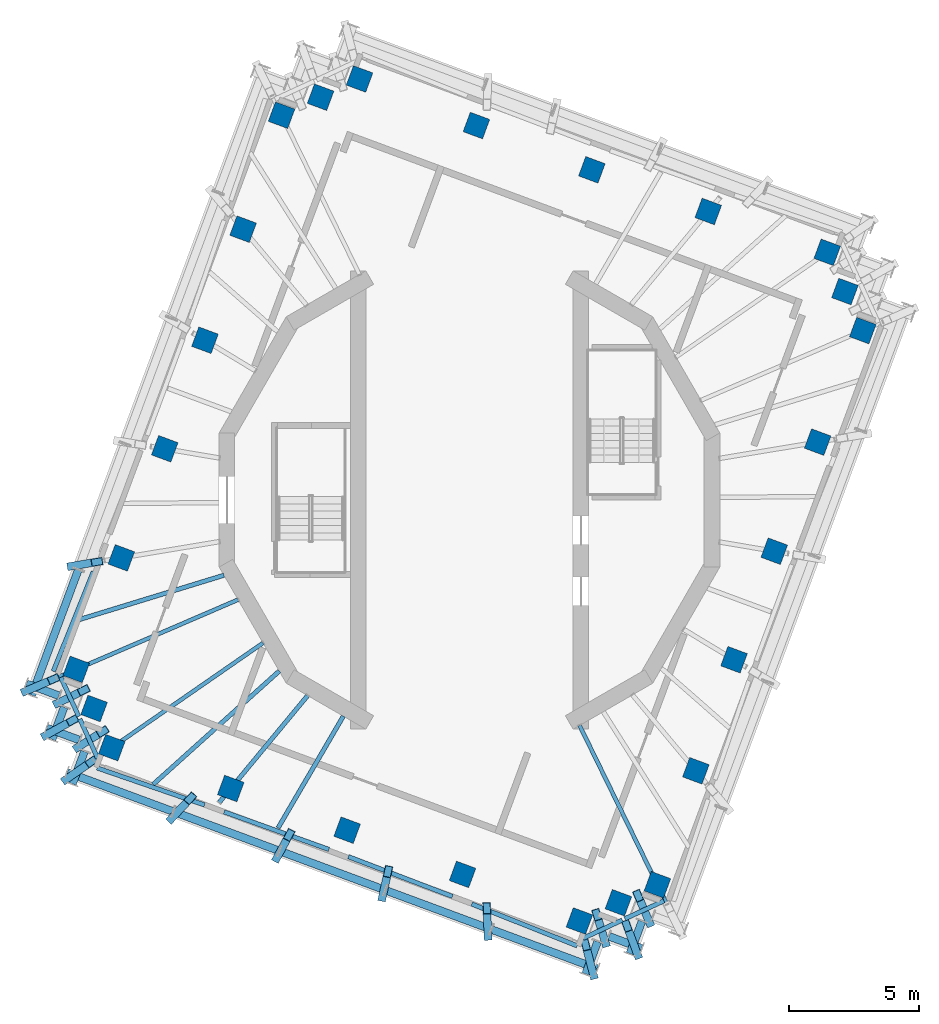
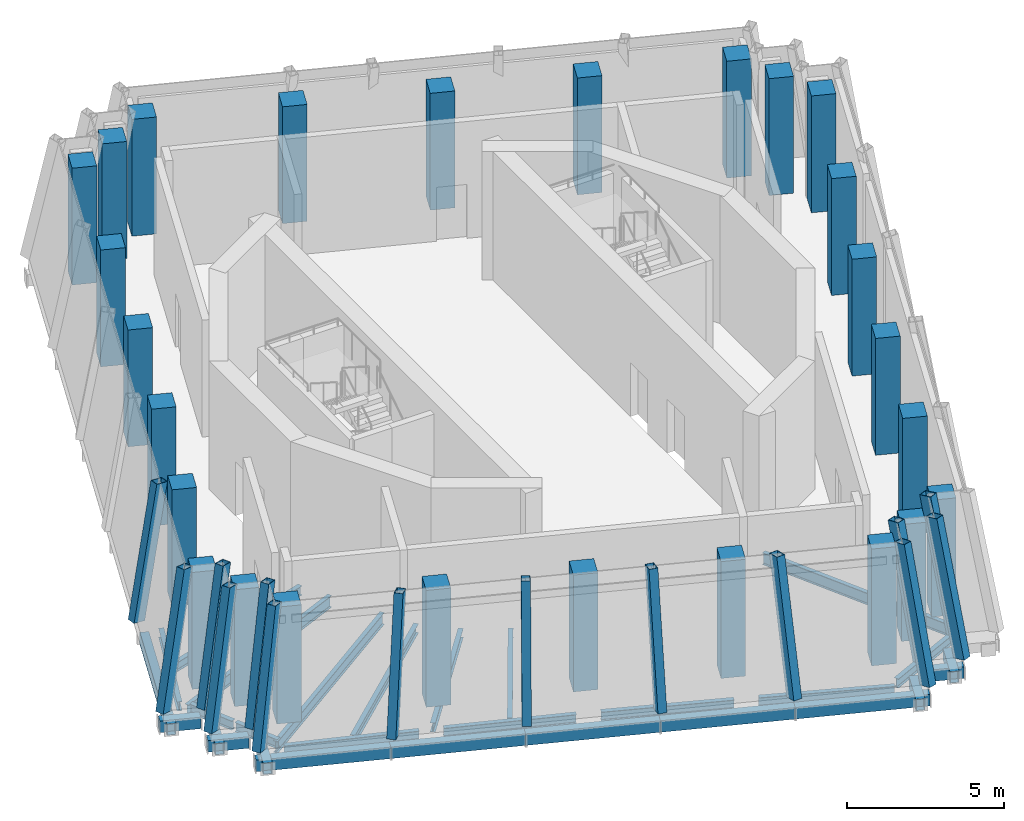
# One storey, part 1 of 13: 27 members, 26 columns, 16 beams, 14 elements without a shape of their own.
"""IFC4 building model written with IfcOpenShell, lengths in metres."""

from ifc_helpers import new_model, si_unit, direction, frame, origin, origin_2d, place, context, subcontext, project, spatial, rectangle, hollow_rectangle, i_section, extrude, material, material_profile, profile_set, type_object, element, aggregate, save


model = new_model("IFC4")

# Units and contexts
model_context = context("Model", 3, precision=1e-05, world=origin(), true_north=direction((0.0, 1.0)))
body_context = subcontext(model_context, "Body", "Model", "MODEL_VIEW")
ifc_project = project(units=[si_unit("LENGTHUNIT", "METRE"), si_unit("AREAUNIT", "SQUARE_METRE"), si_unit("VOLUMEUNIT", "CUBIC_METRE"), si_unit("PLANEANGLEUNIT", "RADIAN"), si_unit("MASSUNIT", "GRAM", prefix="KILO")], contexts=[model_context])

# Site, building, storey
site_placement = place(None, origin())
site = spatial("IfcSite", under=ifc_project, at=site_placement, CompositionType="ELEMENT")
building_placement = place(site_placement, origin())
building = spatial("IfcBuilding", under=site, at=building_placement, Name="Cantera Rosa Tower", CompositionType="ELEMENT")
storey_placement = place(building_placement, frame((0.0, 0.0, 355.699951171875)))
storey = spatial("IfcBuildingStorey", under=building, at=storey_placement, Name="L80", CompositionType="ELEMENT", Elevation=355.699951171875)

# Columns
ifc_material_1 = material(Name="Concrete C50/60", Category="concrete")
ifc_material_profile_1 = material_profile(ifc_material_1, rectangle(XDim=0.800048828125, YDim=0.800048828125, at=origin_2d()), Name="RC COLUMN RC800X800 C50/60")
ifc_profile_set_1 = profile_set([ifc_material_profile_1], Name="Concrete C50/60")
column_type = type_object("IfcColumnType", Name="RC COLUMN RC800X800 C50/60", PredefinedType="COLUMN", material=ifc_profile_set_1)
for number, where, z_axis, x_axis, name in (
    (1, (13.805419921875, 9.55908203125, 0.0), (0.0, 0.0, 1.0), (0.347481234489, 0.937686936924, 0.0), "C-Z6-01 L80"),
    (2, (9.213623046875, 11.134521484375, 0.0), (0.0, 0.0, 1.0), (0.347481234489, 0.937686936924, 0.0), "C-Z6-02 L80"),
    (3, (4.721923828125, 12.7421875, 0.0), (0.0, 0.0, 1.0), (0.347481234489, 0.937686936924, 0.0), "C-Z6-03 L80"),
    (4, (0.267333984375, 14.44970703125, 0.0), (0.0, 0.0, 1.0), (0.347481234489, 0.937686936924, 0.0), "C-Z6-04 L80"),
    (5, (-4.242431640625, 16.2470703125, 0.0), (0.0, 0.0, 1.0), (0.347481234489, 0.937686936924, 0.0), "C-Z6-05 L80"),
    (6, (-5.74658203125, 15.543212890625, 0.0), (0.0, 0.0, 1.0), (0.347481234489, 0.937686936924, 0.0), "C-Z6-06 L80"),
    (7, (-7.252685546875, 14.848876953125, 0.0), (0.0, 0.0, 1.0), (0.347481234489, 0.937686936924, 0.0), "C-Z6-07 L80"),
    (8, (-8.736328125, 10.45068359375, 0.0), (0.0, 0.0, 1.0), (0.347481234489, 0.937686936924, 0.0), "C-Z6-08 L80"),
    (9, (-10.20849609375, 6.165283203125, 0.0), (0.0, 0.0, 1.0), (0.347481234489, 0.937686936924, 0.0), "C-Z6-09 L80"),
    (10, (-11.760986328125, 1.97607421875, 0.0), (0.0, 0.0, 1.0), (0.347481234489, 0.937686936924, 0.0), "C-Z6-10 L80"),
    (11, (-13.43701171875, -2.23388671875, 0.0), (0.0, 0.0, 1.0), (0.347481234489, 0.937686936924, 0.0), "C-Z6-11 L80"),
    (12, (-15.177734375, -6.536865234375, 0.0), (0.0, 0.0, 1.0), (0.347481234489, 0.937686936924, 0.0), "C-Z6-12 L80"),
    (13, (-14.48779296875, -8.044921875, 0.0), (0.0, 0.0, 1.0), (0.347481234489, 0.937686936924, 0.0), "C-Z6-13 L80"),
    (14, (-13.805419921875, -9.55908203125, 0.0), (0.0, 0.0, 1.0), (0.347481234489, 0.937686936924, 0.0), "C-Z6-14 L80"),
    (15, (-9.213623046875, -11.134521484375, 0.0), (0.0, 0.0, 1.0), (0.347481234489, 0.937686936924, 0.0), "C-Z6-15 L80"),
    (16, (-4.721923828125, -12.7421875, 0.0), (0.0, 0.0, 1.0), (0.347481234489, 0.937686936924, 0.0), "C-Z6-16 L80"),
    (17, (-0.267333984375, -14.44970703125, 0.0), (0.0, 0.0, 1.0), (0.347481234489, 0.937686936924, 0.0), "C-Z6-17 L80"),
    (18, (4.242431640625, -16.2470703125, 0.0), (0.0, 0.0, 1.0), (0.347481234489, 0.937686936924, 0.0), "C-Z6-18 L80"),
    (19, (5.74658203125, -15.543212890625, 0.0), (0.0, 0.0, 1.0), (0.347481234489, 0.937686936924, 0.0), "C-Z6-19 L80"),
    (20, (7.252685546875, -14.848876953125, 0.0), (0.0, 0.0, 1.0), (0.347481234489, 0.937686936924, 0.0), "C-Z6-20 L80"),
    (21, (8.736328125, -10.45068359375, 0.0), (0.0, 0.0, 1.0), (0.347481234489, 0.937686936924, 0.0), "C-Z6-21 L80"),
    (22, (10.20849609375, -6.165283203125, 0.0), (0.0, 0.0, 1.0), (0.347481234489, 0.937686936924, 0.0), "C-Z6-22 L80"),
    (23, (11.760986328125, -1.97607421875, 0.0), (0.0, 0.0, 1.0), (0.347481234489, 0.937686936924, 0.0), "C-Z6-23 L80"),
    (24, (13.43701171875, 2.23388671875, 0.0), (0.0, 0.0, 1.0), (0.347481234489, 0.937686936924, 0.0), "C-Z6-24 L80"),
    (25, (15.177734375, 6.536865234375, 0.0), (0.0, 0.0, 1.0), (0.347481234489, 0.937686936924, 0.0), "C-Z6-25 L80"),
    (26, (14.48779296875, 8.044921875, 0.0), (0.0, 0.0, 1.0), (0.347481234489, 0.937686936924, 0.0), "C-Z6-26 L80"),
):
    element("IfcColumn", number, at=place(storey_placement, frame(where, z_axis=z_axis, x_axis=x_axis)), inside=storey, type_object=column_type, Name=name, PredefinedType="COLUMN", context=body_context, shape_type="SweptSolid", body=[
        extrude(rectangle(XDim=0.800048828125, YDim=0.800048828125, at=origin_2d()), origin(), (0.0, 0.0, 1.0), 4.550048828125),
    ])

# Curtain wall, member
ifc_material_2 = material(Name="Aluminium frame with clear glass", Category="aluminium")
curtain_wall_type = type_object("IfcCurtainWallType", Name="CW4 CROWN GLAZING", PredefinedType="NOTDEFINED", material=ifc_material_2)
curtain_wall_1_placement = place(storey_placement, origin())
curtain_wall_1 = element("IfcCurtainWall", 27, at=curtain_wall_1_placement, inside=storey, type_object=curtain_wall_type, Name="CW4 L80-14", PredefinedType="NOTDEFINED")
ifc_material_3 = material(Name="Steel S355J2 (EN 10025-2)", Category="steel")
ifc_material_profile_2 = material_profile(ifc_material_3, hollow_rectangle(XDim=0.300048828125, YDim=0.449951171875, WallThickness=0.01611328125, at=origin_2d()), Name="CROWN FRAME MULLION RHS 300x450x16")
ifc_profile_set_2 = profile_set([ifc_material_profile_2], Name="Steel S355J2 (EN 10025-2)")
member_type_1 = type_object("IfcMemberType", Name="CROWN FRAME MULLION RHS 300x450x16", PredefinedType="MULLION", material=ifc_profile_set_2)
member_1_placement = place(storey_placement, frame((-15.30126953125, -2.543701171875, 0.0), z_axis=(0.182256641938, 0.030280131928, 0.982784630568), x_axis=(-0.163893533146, 0.986478033102, 0.0)))
member_1 = element("IfcMember", 28, at=member_1_placement, type_object=member_type_1, Name="CROWN FRAME rib L80-14", PredefinedType="MULLION", context=body_context, shape_type="SweptSolid", body=[
    extrude(hollow_rectangle(XDim=0.300048828125, YDim=0.449951171875, WallThickness=0.01611328125, at=origin_2d()), origin(), (0.0, 0.0, 1.0), 5.087646484375),
])

curtain_wall_2_placement = place(storey_placement, origin())
curtain_wall_2 = element("IfcCurtainWall", 29, at=curtain_wall_2_placement, inside=storey, type_object=curtain_wall_type, Name="CW4 L80-15", PredefinedType="NOTDEFINED")
member_2_placement = place(storey_placement, frame((-17.085693359375, -7.358642578125, 0.0), z_axis=(0.202054325325, 0.087023397541, 0.97550037309), x_axis=(-0.395564894029, 0.918438029816, 0.0)))
member_2 = element("IfcMember", 30, at=member_2_placement, type_object=member_type_1, Name="CROWN FRAME rib L80-15", PredefinedType="MULLION", context=body_context, shape_type="SweptSolid", body=[
    extrude(hollow_rectangle(XDim=0.300048828125, YDim=0.449951171875, WallThickness=0.01611328125, at=origin_2d()), origin(), (0.0, 0.0, 1.0), 5.12548828125),
])

curtain_wall_3_placement = place(storey_placement, origin())
curtain_wall_3 = element("IfcCurtainWall", 31, at=curtain_wall_3_placement, inside=storey, type_object=curtain_wall_type, Name="CW4 L80-16", PredefinedType="NOTDEFINED")
member_3_placement = place(storey_placement, frame((-15.847900390625, -7.8173828125, 0.0), z_axis=(0.18782927877, 0.092673266419, 0.97781993625), x_axis=(-0.442465792491, 0.896785382617, 0.0)))
member_3 = element("IfcMember", 32, at=member_3_placement, type_object=member_type_1, Name="CROWN FRAME rib L80-16", PredefinedType="MULLION", context=body_context, shape_type="SweptSolid", body=[
    extrude(hollow_rectangle(XDim=0.300048828125, YDim=0.449951171875, WallThickness=0.01611328125, at=origin_2d()), origin(), (0.0, 0.0, 1.0), 5.113525390625),
])

curtain_wall_4_placement = place(storey_placement, origin())
curtain_wall_4 = element("IfcCurtainWall", 33, at=curtain_wall_4_placement, inside=storey, type_object=curtain_wall_type, Name="CW4 L80-17", PredefinedType="NOTDEFINED")
member_4_placement = place(storey_placement, frame((-16.306640625, -9.054931640625, 0.0), z_axis=(0.192791260013, 0.107016294775, 0.975386611921), x_axis=(-0.485331140108, 0.874330420631, 0.0)))
member_4 = element("IfcMember", 34, at=member_4_placement, type_object=member_type_1, Name="CROWN FRAME rib L80-17", PredefinedType="MULLION", context=body_context, shape_type="SweptSolid", body=[
    extrude(hollow_rectangle(XDim=0.300048828125, YDim=0.449951171875, WallThickness=0.01611328125, at=origin_2d()), origin(), (0.0, 0.0, 1.0), 5.126220703125),
])

curtain_wall_5_placement = place(storey_placement, origin())
curtain_wall_5 = element("IfcCurtainWall", 35, at=curtain_wall_5_placement, inside=storey, type_object=curtain_wall_type, Name="CW4 L80-18", PredefinedType="NOTDEFINED")
member_5_placement = place(storey_placement, frame((-15.06884765625, -9.513671875, 0.0), z_axis=(0.178547268213, 0.11273152834, 0.977452032343), x_axis=(-0.533873930699, 0.84556408753, 0.0)))
member_5 = element("IfcMember", 36, at=member_5_placement, type_object=member_type_1, Name="CROWN FRAME rib L80-18", PredefinedType="MULLION", context=body_context, shape_type="SweptSolid", body=[
    extrude(hollow_rectangle(XDim=0.300048828125, YDim=0.449951171875, WallThickness=0.01611328125, at=origin_2d()), origin(), (0.0, 0.0, 1.0), 5.115234375),
])

curtain_wall_6_placement = place(storey_placement, origin())
curtain_wall_6 = element("IfcCurtainWall", 37, at=curtain_wall_6_placement, inside=storey, type_object=curtain_wall_type, Name="CW4 L80-19", PredefinedType="NOTDEFINED")
member_6_placement = place(storey_placement, frame((-15.527587890625, -10.75146484375, 0.0), z_axis=(0.183485118083, 0.127035481236, 0.974779563773), x_axis=(-0.569232159269, 0.822176835513, 0.0)))
member_6 = element("IfcMember", 38, at=member_6_placement, type_object=member_type_1, Name="CROWN FRAME rib L80-19", PredefinedType="MULLION", context=body_context, shape_type="SweptSolid", body=[
    extrude(hollow_rectangle(XDim=0.300048828125, YDim=0.449951171875, WallThickness=0.01611328125, at=origin_2d()), origin(), (0.0, 0.0, 1.0), 5.12939453125),
])

curtain_wall_7_placement = place(storey_placement, origin())
curtain_wall_7 = element("IfcCurtainWall", 39, at=curtain_wall_7_placement, inside=storey, type_object=curtain_wall_type, Name="CW4 L80-20", PredefinedType="NOTDEFINED")
member_7_placement = place(storey_placement, frame((-11.4677734375, -12.255859375, 0.0), z_axis=(0.136223280906, 0.145553642612, 0.979927219165), x_axis=(-0.730120754726, 0.683318142243, 0.0)))
member_7 = element("IfcMember", 40, at=member_7_placement, type_object=member_type_1, Name="CROWN FRAME rib L80-20", PredefinedType="MULLION", context=body_context, shape_type="SweptSolid", body=[
    extrude(hollow_rectangle(XDim=0.300048828125, YDim=0.449951171875, WallThickness=0.01611328125, at=origin_2d()), origin(), (0.0, 0.0, 1.0), 5.1025390625),
])

curtain_wall_8_placement = place(storey_placement, origin())
curtain_wall_8 = element("IfcCurtainWall", 41, at=curtain_wall_8_placement, inside=storey, type_object=curtain_wall_type, Name="CW4 L80-21", PredefinedType="NOTDEFINED")
member_8_placement = place(storey_placement, frame((-7.407958984375, -13.76025390625, 0.0), z_axis=(0.088226603476, 0.163835699223, 0.982534442195), x_axis=(-0.880454542152, 0.474130571894, 0.0)))
member_8 = element("IfcMember", 42, at=member_8_placement, type_object=member_type_1, Name="CROWN FRAME rib L80-21", PredefinedType="MULLION", context=body_context, shape_type="SweptSolid", body=[
    extrude(hollow_rectangle(XDim=0.300048828125, YDim=0.449951171875, WallThickness=0.01611328125, at=origin_2d()), origin(), (0.0, 0.0, 1.0), 5.0888671875),
])

curtain_wall_9_placement = place(storey_placement, origin())
curtain_wall_9 = element("IfcCurtainWall", 43, at=curtain_wall_9_placement, inside=storey, type_object=curtain_wall_type, Name="CW4 L80-22", PredefinedType="NOTDEFINED")
member_9_placement = place(storey_placement, frame((-3.34814453125, -15.264892578125, 0.0), z_axis=(0.039867003979, 0.181824241974, 0.982522552934), x_axis=(-0.976795656334, 0.214173401165, 0.0)))
member_9 = element("IfcMember", 44, at=member_9_placement, type_object=member_type_1, Name="CROWN FRAME rib L80-22", PredefinedType="MULLION", context=body_context, shape_type="SweptSolid", body=[
    extrude(hollow_rectangle(XDim=0.300048828125, YDim=0.449951171875, WallThickness=0.01611328125, at=origin_2d()), origin(), (0.0, 0.0, 1.0), 5.0888671875),
])

curtain_wall_10_placement = place(storey_placement, origin())
curtain_wall_10 = element("IfcCurtainWall", 45, at=curtain_wall_10_placement, inside=storey, type_object=curtain_wall_type, Name="CW4 L80-23", PredefinedType="NOTDEFINED")
member_10_placement = place(storey_placement, frame((0.711669921875, -16.769287109375, 0.0), z_axis=(-0.008421226674, 0.199190719564, 0.979924558413), x_axis=(-0.99910751523, -0.042239472179, 0.0)))
member_10 = element("IfcMember", 46, at=member_10_placement, type_object=member_type_1, Name="CROWN FRAME rib L80-23", PredefinedType="MULLION", context=body_context, shape_type="SweptSolid", body=[
    extrude(hollow_rectangle(XDim=0.300048828125, YDim=0.449951171875, WallThickness=0.01611328125, at=origin_2d()), origin(), (0.0, 0.0, 1.0), 5.1025390625),
])

curtain_wall_11_placement = place(storey_placement, origin())
curtain_wall_11 = element("IfcCurtainWall", 47, at=curtain_wall_11_placement, inside=storey, type_object=curtain_wall_type, Name="CW4 L80-24", PredefinedType="NOTDEFINED")
member_11_placement = place(storey_placement, frame((4.771484375, -18.273681640625, 0.0), z_axis=(-0.056354918078, 0.215900260473, 0.974787772152), x_axis=(-0.967581018342, -0.252560830185, 0.0)))
member_11 = element("IfcMember", 48, at=member_11_placement, type_object=member_type_1, Name="CROWN FRAME rib L80-24", PredefinedType="MULLION", context=body_context, shape_type="SweptSolid", body=[
    extrude(hollow_rectangle(XDim=0.300048828125, YDim=0.449951171875, WallThickness=0.01611328125, at=origin_2d()), origin(), (0.0, 0.0, 1.0), 5.12939453125),
])

curtain_wall_12_placement = place(storey_placement, origin())
curtain_wall_12 = element("IfcCurtainWall", 49, at=curtain_wall_12_placement, inside=storey, type_object=curtain_wall_type, Name="CW4 L80-25", PredefinedType="NOTDEFINED")
member_12_placement = place(storey_placement, frame((5.230224609375, -17.035888671875, 0.0), z_axis=(-0.061950185044, 0.201839239252, 0.977457465096), x_axis=(-0.955984057703, -0.293418611232, 0.0)))
member_12 = element("IfcMember", 50, at=member_12_placement, type_object=member_type_1, Name="CROWN FRAME rib L80-25", PredefinedType="MULLION", context=body_context, shape_type="SweptSolid", body=[
    extrude(hollow_rectangle(XDim=0.300048828125, YDim=0.449951171875, WallThickness=0.01611328125, at=origin_2d()), origin(), (0.0, 0.0, 1.0), 5.115234375),
])

curtain_wall_13_placement = place(storey_placement, origin())
curtain_wall_13 = element("IfcCurtainWall", 51, at=curtain_wall_13_placement, inside=storey, type_object=curtain_wall_type, Name="CW4 L80-26", PredefinedType="NOTDEFINED")
member_13_placement = place(storey_placement, frame((6.468017578125, -17.49462890625, 0.0), z_axis=(-0.076487353501, 0.206839711243, 0.975380448137), x_axis=(-0.937925785431, -0.346836014599, 0.0)))
member_13 = element("IfcMember", 52, at=member_13_placement, type_object=member_type_1, Name="CROWN FRAME rib L80-26", PredefinedType="MULLION", context=body_context, shape_type="SweptSolid", body=[
    extrude(hollow_rectangle(XDim=0.300048828125, YDim=0.449951171875, WallThickness=0.01611328125, at=origin_2d()), origin(), (0.0, 0.0, 1.0), 5.126220703125),
])

curtain_wall_14_placement = place(storey_placement, origin())
curtain_wall_14 = element("IfcCurtainWall", 53, at=curtain_wall_14_placement, inside=storey, type_object=curtain_wall_type, Name="CW4 L80-27", PredefinedType="NOTDEFINED")
member_14_placement = place(storey_placement, frame((6.9267578125, -16.2568359375, 0.0), z_axis=(-0.082121990463, 0.192652460185, 0.97782463063), x_axis=(-0.919909783206, -0.392130068678, 0.0)))
member_14 = element("IfcMember", 54, at=member_14_placement, type_object=member_type_1, Name="CROWN FRAME rib L80-27", PredefinedType="MULLION", context=body_context, shape_type="SweptSolid", body=[
    extrude(hollow_rectangle(XDim=0.300048828125, YDim=0.449951171875, WallThickness=0.01611328125, at=origin_2d()), origin(), (0.0, 0.0, 1.0), 5.11328125),
])
aggregate(curtain_wall_14, [member_14])

# Member
ifc_material_4 = material(Name="Steel S355J2 (EN 10025-2)", Category="steel")
ifc_material_profile_3 = material_profile(ifc_material_4, hollow_rectangle(XDim=0.300048828125, YDim=0.449951171875, WallThickness=0.01611328125, at=origin_2d()), Name="CROWN FRAME PURLIN RHS 300x450x16")
ifc_profile_set_3 = profile_set([ifc_material_profile_3], Name="Steel S355J2 (EN 10025-2)")
member_type_2 = type_object("IfcMemberType", Name="CROWN FRAME PURLIN RHS 300x450x16", PredefinedType="PURLIN", material=ifc_profile_set_3)
member_15_placement = place(storey_placement, frame((-15.09228515625, -2.682861328125, -0.675048828125), z_axis=(-0.347484963589, -0.937685555013, 0.0), x_axis=(0.937685555013, -0.347484963589, 0.0)))
member_15 = element("IfcMember", 55, at=member_15_placement, type_object=member_type_2, Name="CROWN FRAME purlin L80-14", PredefinedType="PURLIN", context=body_context, shape_type="SweptSolid", body=[
    extrude(hollow_rectangle(XDim=0.300048828125, YDim=0.449951171875, WallThickness=0.01611328125, at=origin_2d()), origin(), (0.0, 0.0, 1.0), 5.173095703125),
])

aggregate(curtain_wall_1, [member_1, member_15])

member_16_placement = place(storey_placement, frame((-17.093994140625, -7.089599609375, -0.675048828125), z_axis=(0.937680097081, -0.34749969142, 0.0), x_axis=(0.34749969142, 0.937680097081, 0.0)))
member_16 = element("IfcMember", 56, at=member_16_placement, type_object=member_type_2, Name="CROWN FRAME purlin L80-15", PredefinedType="PURLIN", context=body_context, shape_type="SweptSolid", body=[
    extrude(hollow_rectangle(XDim=0.300048828125, YDim=0.449951171875, WallThickness=0.01611328125, at=origin_2d()), origin(), (0.0, 0.0, 1.0), 1.329833984375),
])

aggregate(curtain_wall_2, [member_2, member_16])

member_17_placement = place(storey_placement, frame((-15.64306640625, -7.996826171875, -0.675048828125), z_axis=(-0.34749969142, -0.937680097081, 0.0), x_axis=(0.937680097081, -0.34749969142, 0.0)))
member_17 = element("IfcMember", 57, at=member_17_placement, type_object=member_type_2, Name="CROWN FRAME purlin L80-16", PredefinedType="PURLIN", context=body_context, shape_type="SweptSolid", body=[
    extrude(hollow_rectangle(XDim=0.300048828125, YDim=0.449951171875, WallThickness=0.01611328125, at=origin_2d()), origin(), (0.0, 0.0, 1.0), 1.329833984375),
])

aggregate(curtain_wall_3, [member_3, member_17])

member_18_placement = place(storey_placement, frame((-16.308349609375, -8.799072265625, -0.675048828125), z_axis=(0.937657924064, -0.3475595164, 0.0), x_axis=(0.3475595164, 0.937657924064, 0.0)))
member_18 = element("IfcMember", 58, at=member_18_placement, type_object=member_type_2, Name="CROWN FRAME purlin L80-17", PredefinedType="PURLIN", context=body_context, shape_type="SweptSolid", body=[
    extrude(hollow_rectangle(XDim=0.300048828125, YDim=0.449951171875, WallThickness=0.01611328125, at=origin_2d()), origin(), (0.0, 0.0, 1.0), 1.329833984375),
])

aggregate(curtain_wall_4, [member_4, member_18])

member_19_placement = place(storey_placement, frame((-14.8583984375, -9.706787109375, -0.675048828125), z_axis=(-0.347439885619, -0.937702258652, 0.0), x_axis=(0.937702258652, -0.347439885619, 0.0)))
member_19 = element("IfcMember", 59, at=member_19_placement, type_object=member_type_2, Name="CROWN FRAME purlin L80-18", PredefinedType="PURLIN", context=body_context, shape_type="SweptSolid", body=[
    extrude(hollow_rectangle(XDim=0.300048828125, YDim=0.449951171875, WallThickness=0.01611328125, at=origin_2d()), origin(), (0.0, 0.0, 1.0), 1.330078125),
])

aggregate(curtain_wall_5, [member_5, member_19])

member_20_placement = place(storey_placement, frame((-15.52294921875, -10.508544921875, -0.675048828125), z_axis=(0.937702162276, -0.347440145729, 0.0), x_axis=(0.347440145729, 0.937702162276, 0.0)))
member_20 = element("IfcMember", 60, at=member_20_placement, type_object=member_type_2, Name="CROWN FRAME purlin L80-19", PredefinedType="PURLIN", context=body_context, shape_type="SweptSolid", body=[
    extrude(hollow_rectangle(XDim=0.300048828125, YDim=0.449951171875, WallThickness=0.01611328125, at=origin_2d()), origin(), (0.0, 0.0, 1.0), 4.361572265625),
])

aggregate(curtain_wall_6, [member_6, member_20])

member_21_placement = place(storey_placement, frame((-11.43310546875, -12.02392578125, -0.675048828125), z_axis=(0.937683924768, -0.34748936276, 0.0), x_axis=(0.34748936276, 0.937683924768, 0.0)))
member_21 = element("IfcMember", 61, at=member_21_placement, type_object=member_type_2, Name="CROWN FRAME purlin L80-20", PredefinedType="PURLIN", context=body_context, shape_type="SweptSolid", body=[
    extrude(hollow_rectangle(XDim=0.300048828125, YDim=0.449951171875, WallThickness=0.01611328125, at=origin_2d()), origin(), (0.0, 0.0, 1.0), 4.361572265625),
])

aggregate(curtain_wall_7, [member_7, member_21])

member_22_placement = place(storey_placement, frame((-7.34326171875, -13.53955078125, -0.675048828125), z_axis=(0.937683924768, -0.34748936276, 0.0), x_axis=(0.34748936276, 0.937683924768, 0.0)))
member_22 = element("IfcMember", 62, at=member_22_placement, type_object=member_type_2, Name="CROWN FRAME purlin L80-21", PredefinedType="PURLIN", context=body_context, shape_type="SweptSolid", body=[
    extrude(hollow_rectangle(XDim=0.300048828125, YDim=0.449951171875, WallThickness=0.01611328125, at=origin_2d()), origin(), (0.0, 0.0, 1.0), 4.361572265625),
])

aggregate(curtain_wall_8, [member_8, member_22])

member_23_placement = place(storey_placement, frame((-3.25341796875, -15.05517578125, -0.675048828125), z_axis=(0.937683924768, -0.34748936276, 0.0), x_axis=(0.34748936276, 0.937683924768, 0.0)))
member_23 = element("IfcMember", 63, at=member_23_placement, type_object=member_type_2, Name="CROWN FRAME purlin L80-22", PredefinedType="PURLIN", context=body_context, shape_type="SweptSolid", body=[
    extrude(hollow_rectangle(XDim=0.300048828125, YDim=0.449951171875, WallThickness=0.01611328125, at=origin_2d()), origin(), (0.0, 0.0, 1.0), 4.361572265625),
])

aggregate(curtain_wall_9, [member_9, member_23])

member_24_placement = place(storey_placement, frame((0.83642578125, -16.57080078125, -0.675048828125), z_axis=(0.937690683086, -0.347471125207, 0.0), x_axis=(0.347471125207, 0.937690683086, 0.0)))
member_24 = element("IfcMember", 64, at=member_24_placement, type_object=member_type_2, Name="CROWN FRAME purlin L80-23", PredefinedType="PURLIN", context=body_context, shape_type="SweptSolid", body=[
    extrude(hollow_rectangle(XDim=0.300048828125, YDim=0.449951171875, WallThickness=0.01611328125, at=origin_2d()), origin(), (0.0, 0.0, 1.0), 4.36181640625),
])

aggregate(curtain_wall_10, [member_10, member_24])

member_25_placement = place(storey_placement, frame((4.482666015625, -18.29248046875, -0.675048828125), z_axis=(0.34749969142, 0.937680097081, 0.0), x_axis=(-0.937680097081, 0.34749969142, 0.0)))
member_25 = element("IfcMember", 65, at=member_25_placement, type_object=member_type_2, Name="CROWN FRAME purlin L80-24", PredefinedType="PURLIN", context=body_context, shape_type="SweptSolid", body=[
    extrude(hollow_rectangle(XDim=0.300048828125, YDim=0.449951171875, WallThickness=0.01611328125, at=origin_2d()), origin(), (0.0, 0.0, 1.0), 1.329833984375),
])

aggregate(curtain_wall_11, [member_11, member_25])

member_26_placement = place(storey_placement, frame((5.38916015625, -16.839599609375, -0.675048828125), z_axis=(0.937680097081, -0.34749969142, 0.0), x_axis=(0.34749969142, 0.937680097081, 0.0)))
member_26 = element("IfcMember", 66, at=member_26_placement, type_object=member_type_2, Name="CROWN FRAME purlin L80-25", PredefinedType="PURLIN", context=body_context, shape_type="SweptSolid", body=[
    extrude(hollow_rectangle(XDim=0.300048828125, YDim=0.449951171875, WallThickness=0.01611328125, at=origin_2d()), origin(), (0.0, 0.0, 1.0), 1.329833984375),
])

aggregate(curtain_wall_12, [member_12, member_26])

member_27_placement = place(storey_placement, frame((6.192138671875, -17.506591796875, -0.675048828125), z_axis=(0.34749969142, 0.937680097081, 0.0), x_axis=(-0.937680097081, 0.34749969142, 0.0)))
member_27 = element("IfcMember", 67, at=member_27_placement, type_object=member_type_2, Name="CROWN FRAME purlin L80-26", PredefinedType="PURLIN", context=body_context, shape_type="SweptSolid", body=[
    extrude(hollow_rectangle(XDim=0.300048828125, YDim=0.449951171875, WallThickness=0.01611328125, at=origin_2d()), origin(), (0.0, 0.0, 1.0), 1.329833984375),
])

aggregate(curtain_wall_13, [member_13, member_27])

# Beams
ifc_material_5 = material(Name="Steel ASTM A992 (Fy 345 MPa)", Category="steel")
ifc_material_profile_4 = material_profile(ifc_material_5, i_section(OverallWidth=0.1708984375, OverallDepth=0.35595703125, WebThickness=0.00732421875, FlangeThickness=0.01171875, FilletRadius=0.010009765625, at=origin_2d()), Name="W360X51")
ifc_profile_set_4 = profile_set([ifc_material_profile_4], Name="Steel ASTM A992 (Fy 345 MPa)")
beam_type_1 = type_object("IfcBeamType", Name="STEEL BEAM W360X51", PredefinedType="BEAM", material=ifc_profile_set_4)
beam_1_placement = place(storey_placement, frame((-9.65576171875, -11.6689453125, -0.6279296875), z_axis=(0.637500459339, 0.770449975237, 0.0), x_axis=(-0.770449975237, 0.637500459339, 0.0)))
element("IfcBeam", 68, at=beam_1_placement, inside=storey, type_object=beam_type_1, Name="CG-Z6-10 L80", PredefinedType="BEAM", context=body_context, shape_type="SweptSolid", body=[
    extrude(i_section(OverallWidth=0.1708984375, OverallDepth=0.35595703125, WebThickness=0.00732421875, FlangeThickness=0.01171875, FilletRadius=0.010009765625, at=origin_2d()), origin(), (0.0, 0.0, 1.0), 5.349365234375),
])
beam_2_placement = place(storey_placement, frame((-15.173828125, -4.650146484375, -0.6279296875), z_axis=(0.956112380266, 0.293000198469, 0.0), x_axis=(-0.293000198469, 0.956112380266, 0.0)))
element("IfcBeam", 69, at=beam_2_placement, inside=storey, type_object=beam_type_1, Name="CB-Z6-07 L80", PredefinedType="BEAM", context=body_context, shape_type="SweptSolid", body=[
    extrude(i_section(OverallWidth=0.1708984375, OverallDepth=0.35595703125, WebThickness=0.00732421875, FlangeThickness=0.01171875, FilletRadius=0.010009765625, at=origin_2d()), origin(), (0.0, 0.0, 1.0), 5.95849609375),
])
beam_3_placement = place(storey_placement, frame((-12.20751953125, -10.97509765625, -0.6279296875), z_axis=(0.743650303421, 0.668568789446, 0.0), x_axis=(-0.668568789446, 0.743650303421, 0.0)))
element("IfcBeam", 70, at=beam_3_placement, inside=storey, type_object=beam_type_1, Name="CB-Z6-08 L80", PredefinedType="BEAM", context=body_context, shape_type="SweptSolid", body=[
    extrude(i_section(OverallWidth=0.1708984375, OverallDepth=0.35595703125, WebThickness=0.00732421875, FlangeThickness=0.01171875, FilletRadius=0.010009765625, at=origin_2d()), origin(), (0.0, 0.0, 1.0), 6.54248046875),
])
beam_4_placement = place(storey_placement, frame((-7.386962890625, -12.6572265625, -0.6279296875), z_axis=(0.504044212368, 0.863677851967, 0.0), x_axis=(-0.863677851967, 0.504044212368, 0.0)))
element("IfcBeam", 71, at=beam_4_placement, inside=storey, type_object=beam_type_1, Name="CB-Z6-09 L80", PredefinedType="BEAM", context=body_context, shape_type="SweptSolid", body=[
    extrude(i_section(OverallWidth=0.1708984375, OverallDepth=0.35595703125, WebThickness=0.00732421875, FlangeThickness=0.01171875, FilletRadius=0.010009765625, at=origin_2d()), origin(), (0.0, 0.0, 1.0), 4.99560546875),
])
ifc_material_6 = material(Name="Steel ASTM A992 (Fy 345 MPa)", Category="steel")
ifc_material_profile_5 = material_profile(ifc_material_6, i_section(OverallWidth=0.154052734375, OverallDepth=0.4599609375, WebThickness=0.009033203125, FlangeThickness=0.015380859375, FilletRadius=0.01025390625, at=origin_2d()), Name="W460X68")
ifc_profile_set_5 = profile_set([ifc_material_profile_5], Name="Steel ASTM A992 (Fy 345 MPa)")
beam_type_2 = type_object("IfcBeamType", Name="STEEL BEAM W460X68", PredefinedType="BEAM", material=ifc_profile_set_5)
beam_5_placement = place(storey_placement, frame((-15.9375, -6.8642578125, -0.679931640625), z_axis=(0.918436590582, 0.395568235682, 0.0), x_axis=(-0.395568235682, 0.918436590582, 0.0)))
element("IfcBeam", 72, at=beam_5_placement, inside=storey, type_object=beam_type_2, Name="CG-Z6-08 L80", PredefinedType="BEAM", context=body_context, shape_type="SweptSolid", body=[
    extrude(i_section(OverallWidth=0.154052734375, OverallDepth=0.4599609375, WebThickness=0.009033203125, FlangeThickness=0.015380859375, FilletRadius=0.01025390625, at=origin_2d()), origin(), (0.0, 0.0, 1.0), 7.627197265625),
])
beam_6_placement = place(storey_placement, frame((-14.499755859375, -10.039794921875, -0.679931640625), z_axis=(0.822153468351, 0.569265908411, 0.0), x_axis=(-0.569265908411, 0.822153468351, 0.0)))
element("IfcBeam", 73, at=beam_6_placement, inside=storey, type_object=beam_type_2, Name="CG-Z6-09 L80", PredefinedType="BEAM", context=body_context, shape_type="SweptSolid", body=[
    extrude(i_section(OverallWidth=0.154052734375, OverallDepth=0.4599609375, WebThickness=0.009033203125, FlangeThickness=0.015380859375, FilletRadius=0.01025390625, at=origin_2d()), origin(), (0.0, 0.0, 1.0), 7.9443359375),
])
beam_7_placement = place(storey_placement, frame((7.61572265625, -15.59228515625, -0.679931640625), z_axis=(-0.438867572679, 0.898551753462, 0.0), x_axis=(-0.898551753462, -0.438867572679, 0.0)))
element("IfcBeam", 74, at=beam_7_placement, inside=storey, type_object=beam_type_2, Name="CG-Z6-11 L80", PredefinedType="BEAM", context=body_context, shape_type="SweptSolid", body=[
    extrude(i_section(OverallWidth=0.154052734375, OverallDepth=0.4599609375, WebThickness=0.009033203125, FlangeThickness=0.015380859375, FilletRadius=0.01025390625, at=origin_2d()), origin(), (0.0, 0.0, 1.0), 7.670166015625),
])
ifc_material_7 = material(Name="Steel ASTM A992 (Fy 345 MPa)", Category="steel")
ifc_material_profile_6 = material_profile(ifc_material_7, i_section(OverallWidth=0.1708984375, OverallDepth=0.35595703125, WebThickness=0.00732421875, FlangeThickness=0.01171875, FilletRadius=0.010009765625, at=origin_2d()), Name="W360X51")
ifc_profile_set_6 = profile_set([ifc_material_profile_6], Name="Steel ASTM A992 (Fy 345 MPa)")
beam_type_3 = type_object("IfcBeamType", Name="STEEL SPANDREL BEAM W360X51", PredefinedType="SPANDREL", material=ifc_profile_set_6)
beam_8_placement = place(storey_placement, frame((-14.513671875, -2.75927734375, -0.6279296875), z_axis=(-0.373285514208, -0.927716511054, 0.0), x_axis=(0.927716511054, -0.373285514208, 0.0)))
element("IfcBeam", 75, at=beam_8_placement, inside=storey, type_object=beam_type_3, Name="CEB-Z6-11 L80", PredefinedType="SPANDREL", context=body_context, shape_type="SweptSolid", body=[
    extrude(i_section(OverallWidth=0.1708984375, OverallDepth=0.35595703125, WebThickness=0.00732421875, FlangeThickness=0.01171875, FilletRadius=0.010009765625, at=origin_2d()), origin(), (0.0, 0.0, 1.0), 4.15234375),
])
beam_9_placement = place(storey_placement, frame((-15.77197265625, -6.841552734375, -0.6279296875), z_axis=(0.416128075115, -0.909306012903, 0.0), x_axis=(0.909306012903, 0.416128075115, 0.0)))
element("IfcBeam", 76, at=beam_9_placement, inside=storey, type_object=beam_type_3, Name="CEB-Z6-12 L80", PredefinedType="SPANDREL", context=body_context, shape_type="SweptSolid", body=[
    extrude(i_section(OverallWidth=0.1708984375, OverallDepth=0.35595703125, WebThickness=0.00732421875, FlangeThickness=0.01171875, FilletRadius=0.010009765625, at=origin_2d()), origin(), (0.0, 0.0, 1.0), 1.660400390625),
])
beam_10_placement = place(storey_placement, frame((-15.034912109375, -8.453125, -0.6279296875), z_axis=(0.411323088388, -0.91148961429, 0.0), x_axis=(0.91148961429, 0.411323088388, 0.0)))
element("IfcBeam", 77, at=beam_10_placement, inside=storey, type_object=beam_type_3, Name="CEB-Z6-13 L80", PredefinedType="SPANDREL", context=body_context, shape_type="SweptSolid", body=[
    extrude(i_section(OverallWidth=0.1708984375, OverallDepth=0.35595703125, WebThickness=0.00732421875, FlangeThickness=0.01171875, FilletRadius=0.010009765625, at=origin_2d()), origin(), (0.0, 0.0, 1.0), 1.66259765625),
])
beam_11_placement = place(storey_placement, frame((-14.3681640625, -10.341064453125, -0.6279296875), z_axis=(0.945362324368, -0.326021587731, 0.0), x_axis=(0.326021587731, 0.945362324368, 0.0)))
element("IfcBeam", 78, at=beam_11_placement, inside=storey, type_object=beam_type_3, Name="CEB-Z6-14 L80", PredefinedType="SPANDREL", context=body_context, shape_type="SweptSolid", body=[
    extrude(i_section(OverallWidth=0.1708984375, OverallDepth=0.35595703125, WebThickness=0.00732421875, FlangeThickness=0.01171875, FilletRadius=0.010009765625, at=origin_2d()), origin(), (0.0, 0.0, 1.0), 4.38232421875),
])
beam_12_placement = place(storey_placement, frame((-9.470458984375, -12.03515625, -0.6279296875), z_axis=(0.941253931525, -0.337699624501, 0.0), x_axis=(0.337699624501, 0.941253931525, 0.0)))
element("IfcBeam", 79, at=beam_12_placement, inside=storey, type_object=beam_type_3, Name="CEB-Z6-15 L80", PredefinedType="SPANDREL", context=body_context, shape_type="SweptSolid", body=[
    extrude(i_section(OverallWidth=0.1708984375, OverallDepth=0.35595703125, WebThickness=0.00732421875, FlangeThickness=0.01171875, FilletRadius=0.010009765625, at=origin_2d()), origin(), (0.0, 0.0, 1.0), 4.298583984375),
])
beam_13_placement = place(storey_placement, frame((-4.67431640625, -13.7646484375, -0.6279296875), z_axis=(0.934017283206, -0.357227819006, 0.0), x_axis=(0.357227819006, 0.934017283206, 0.0)))
element("IfcBeam", 80, at=beam_13_placement, inside=storey, type_object=beam_type_3, Name="CEB-Z6-16 L80", PredefinedType="SPANDREL", context=body_context, shape_type="SweptSolid", body=[
    extrude(i_section(OverallWidth=0.1708984375, OverallDepth=0.35595703125, WebThickness=0.00732421875, FlangeThickness=0.01171875, FilletRadius=0.010009765625, at=origin_2d()), origin(), (0.0, 0.0, 1.0), 4.298828125),
])
beam_14_placement = place(storey_placement, frame((0.086181640625, -15.5908203125, -0.6279296875), z_axis=(0.929510415478, -0.36879586158, 0.0), x_axis=(0.36879586158, 0.929510415478, 0.0)))
element("IfcBeam", 81, at=beam_14_placement, inside=storey, type_object=beam_type_3, Name="CEB-Z6-17 L80", PredefinedType="SPANDREL", context=body_context, shape_type="SweptSolid", body=[
    extrude(i_section(OverallWidth=0.1708984375, OverallDepth=0.35595703125, WebThickness=0.00732421875, FlangeThickness=0.01171875, FilletRadius=0.010009765625, at=origin_2d()), origin(), (0.0, 0.0, 1.0), 4.38232421875),
])
beam_15_placement = place(storey_placement, frame((4.389404296875, -16.913330078125, -0.6279296875), z_axis=(0.905950392676, 0.423383851854, 0.0), x_axis=(-0.423383851854, 0.905950392676, 0.0)))
element("IfcBeam", 82, at=beam_15_placement, inside=storey, type_object=beam_type_3, Name="CEB-Z6-18 L80", PredefinedType="SPANDREL", context=body_context, shape_type="SweptSolid", body=[
    extrude(i_section(OverallWidth=0.1708984375, OverallDepth=0.35595703125, WebThickness=0.00732421875, FlangeThickness=0.01171875, FilletRadius=0.010009765625, at=origin_2d()), origin(), (0.0, 0.0, 1.0), 1.662353515625),
])
beam_16_placement = place(storey_placement, frame((5.9970703125, -16.162353515625, -0.6279296875), z_axis=(0.908152957208, 0.418638515086, 0.0), x_axis=(-0.418638515086, 0.908152957208, 0.0)))
element("IfcBeam", 83, at=beam_16_placement, inside=storey, type_object=beam_type_3, Name="CEB-Z6-19 L80", PredefinedType="SPANDREL", context=body_context, shape_type="SweptSolid", body=[
    extrude(i_section(OverallWidth=0.1708984375, OverallDepth=0.35595703125, WebThickness=0.00732421875, FlangeThickness=0.01171875, FilletRadius=0.010009765625, at=origin_2d()), origin(), (0.0, 0.0, 1.0), 1.660400390625),
])

save(model, "model.ifc")
